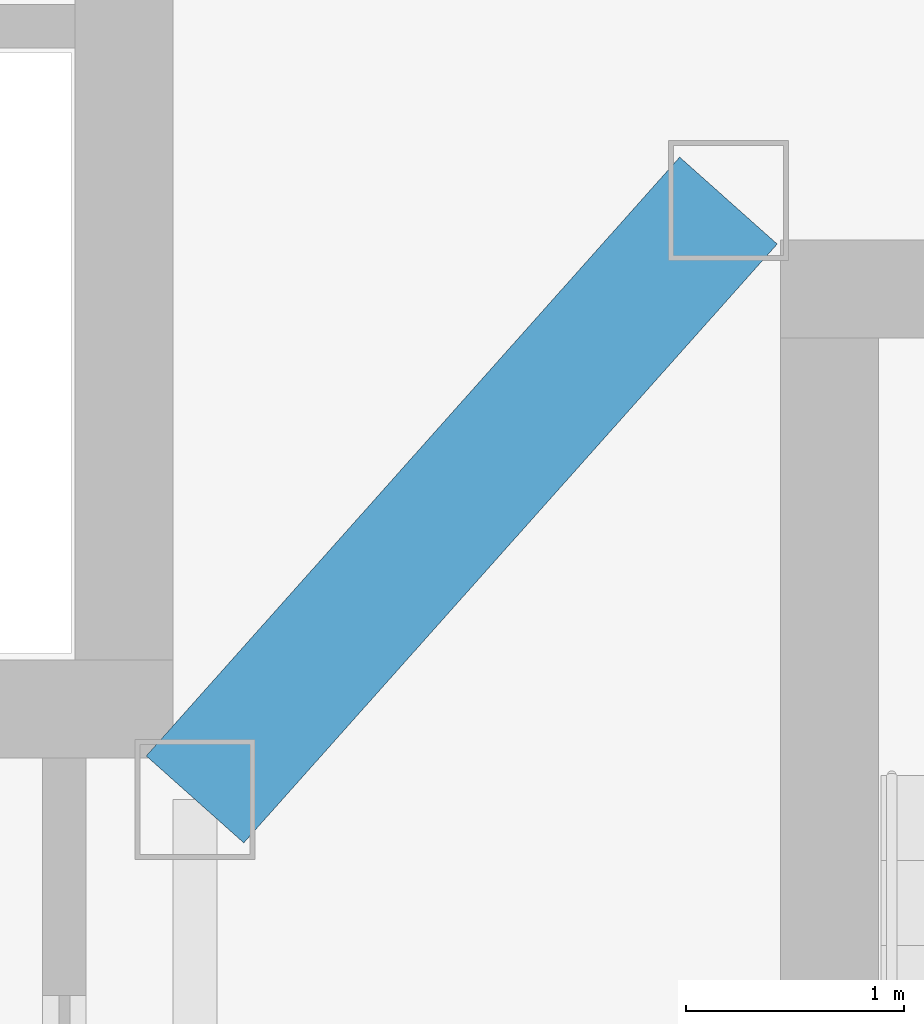
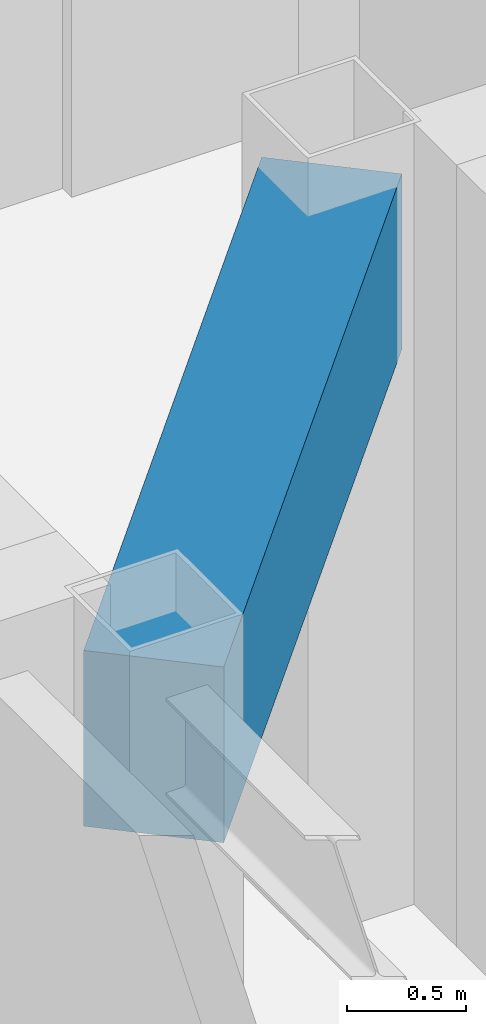
# One storey, part 11 of 24: 1 beam.
"""IFC4 building model written with IfcOpenShell, lengths in metres."""

from ifc_helpers import new_model, si_unit, direction, frame, origin, origin_2d, place, context, subcontext, project, spatial, rectangle, extrude, material, material_profile, profile_set, type_object, element, save


model = new_model("IFC4")

# Units and contexts
model_context = context("Model", 3, precision=1e-05, world=origin(), true_north=direction((0.0, 1.0)))
body_context = subcontext(model_context, "Body", "Model", "MODEL_VIEW")
ifc_project = project(units=[si_unit("LENGTHUNIT", "METRE"), si_unit("AREAUNIT", "SQUARE_METRE"), si_unit("VOLUMEUNIT", "CUBIC_METRE"), si_unit("PLANEANGLEUNIT", "RADIAN"), si_unit("MASSUNIT", "GRAM", prefix="KILO")], contexts=[model_context])

# Site, building, storey
site_placement = place(None, origin())
site = spatial("IfcSite", under=ifc_project, at=site_placement, CompositionType="ELEMENT")
building_placement = place(site_placement, origin())
building = spatial("IfcBuilding", under=site, at=building_placement, Name="Hatsunagi Terrace Concourse", CompositionType="ELEMENT")
storey_placement = place(building_placement, frame((0.0, 0.0, 285.949951171875)))
storey = spatial("IfcBuildingStorey", under=building, at=storey_placement, Name="L75", CompositionType="ELEMENT", Elevation=285.949951171875)

# Beam
ifc_material = material(Name="Concrete Fc42", Category="concrete")
ifc_material_profile = material_profile(ifc_material, rectangle(XDim=0.60009765625, YDim=0.89990234375, at=origin_2d()), Name="RC-600x900")
ifc_profile_set = profile_set([ifc_material_profile], Name="Concrete Fc42")
beam_type = type_object("IfcBeamType", Name="CoreCouplingBeam_RC_600x900", PredefinedType="BEAM", material=ifc_profile_set)
beam_placement = place(storey_placement, frame((33.35009765625, 32.550048828125, 3.25), z_axis=(0.665198651008, 0.746666427997, 0.0), x_axis=(-0.746666427997, 0.665198651008, 0.0)))
element("IfcBeam", 1, at=beam_placement, inside=storey, type_object=beam_type, Name="Beam CB-03 CB-L75-1", PredefinedType="BEAM", context=body_context, shape_type="SweptSolid", body=[
    extrude(rectangle(XDim=0.60009765625, YDim=0.89990234375, at=origin_2d()), origin(), (0.0, 0.0, 1.0), 3.68310546875),
])

save(model, "model.ifc")
